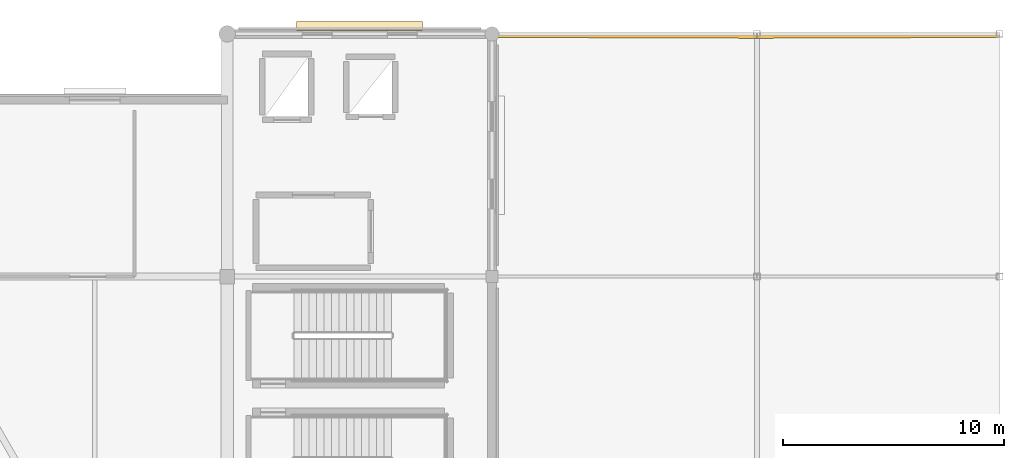
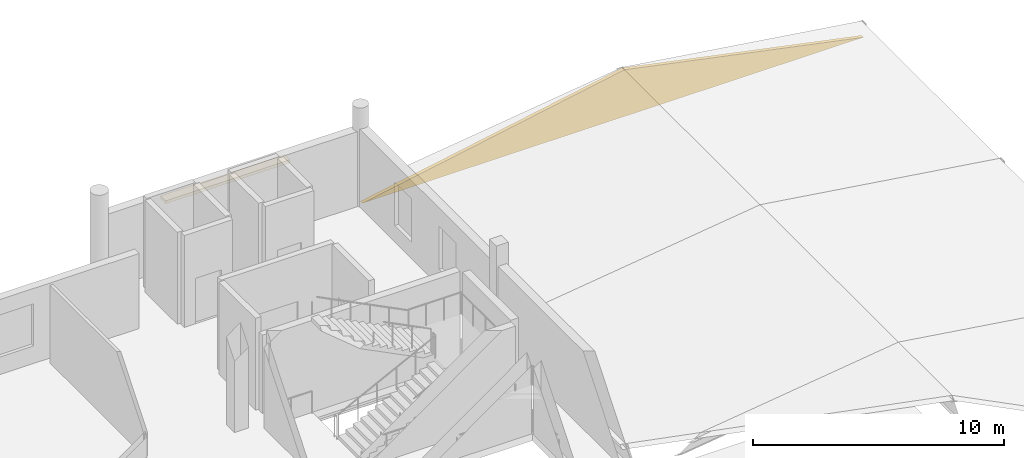
# One storey, part 77 of 77: 2 coverings.
"""IFC4 building model written with IfcOpenShell, lengths in metres."""

from ifc_helpers import new_model, si_unit, direction, frame, origin, origin_2d, place, context, subcontext, project, spatial, polyline, rectangle, outline, extrude, material, layer, layer_set, type_object, element, save


model = new_model("IFC4")

# Units and contexts
model_context = context("Model", 3, precision=1e-05, world=origin(), true_north=direction((0.0, 1.0)))
body_context = subcontext(model_context, "Body", "Model", "MODEL_VIEW")
ifc_project = project(units=[si_unit("LENGTHUNIT", "METRE"), si_unit("AREAUNIT", "SQUARE_METRE"), si_unit("VOLUMEUNIT", "CUBIC_METRE"), si_unit("PLANEANGLEUNIT", "RADIAN"), si_unit("MASSUNIT", "GRAM", prefix="KILO")], contexts=[model_context])

# Site, building, storey
site_placement = place(None, origin())
site = spatial("IfcSite", under=ifc_project, at=site_placement, CompositionType="ELEMENT")
building_placement = place(site_placement, origin())
building = spatial("IfcBuilding", under=site, at=building_placement, Name="Luwafu Chhajja Arena", CompositionType="ELEMENT")
storey_placement = place(building_placement, frame((0.0, 0.0, 14.699951171875)))
storey = spatial("IfcBuildingStorey", under=building, at=storey_placement, Name="L03", CompositionType="ELEMENT", Elevation=14.699951171875)

# Coverings
ifc_material = material(Name="Red laterite sandstone cladding", Category="masonry")
ifc_layer = layer(ifc_material, 0.074951171875, Name="Red laterite sandstone cladding")
ifc_layer_set = layer_set([ifc_layer], Name="Red laterite sandstone cladding")
covering_type = type_object("IfcCoveringType", Name="Dressed Red-Laterite Sandstone Cladding", PredefinedType="CLADDING", material=ifc_layer_set)
covering_1_placement = place(storey_placement, frame((187.0, 99.0, 0.050048828125), z_axis=(0.0, 0.999848516615, 0.01740528147), x_axis=(-1.0, 0.0, 0.0)))
element("IfcCovering", 1, at=covering_1_placement, inside=storey, type_object=covering_type, Name="L03 East Pavilion N Tympanum Cladding", PredefinedType="CLADDING", context=body_context, shape_type="SweptSolid", body=[
    extrude(outline(polyline([(0.0, 0.0), (23.0, 0.0), (11.0, 2.300397300095152), (0.0, 0.0)])), origin(), (0.0, 0.0, -1.0), 0.159912109375),
])
covering_2_placement = place(storey_placement, frame((158.0, 99.360107421875, 2.93017578125), z_axis=(0.0, 0.0, 1.0), x_axis=(1.0, 0.0, 0.0)))
element("IfcCovering", 2, at=covering_2_placement, inside=storey, type_object=covering_type, Name="L03 Mughal Sandstone Window Chhajja Hood 0094", PredefinedType="CLADDING", context=body_context, shape_type="SweptSolid", body=[
    extrude(rectangle(XDim=5.703369140625, YDim=0.419921875, at=origin_2d()), origin(), (0.0, 0.0, 1.0), 0.139892578125),
])

save(model, "model.ifc")
